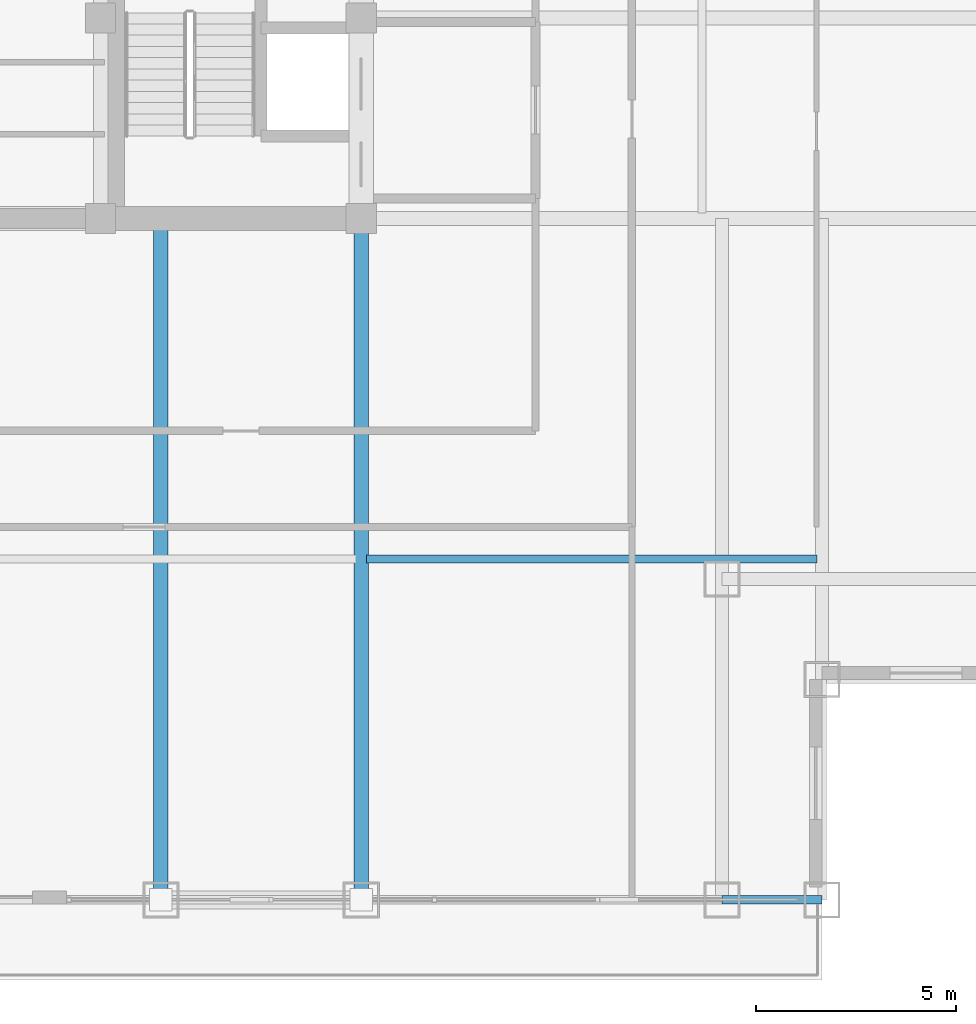
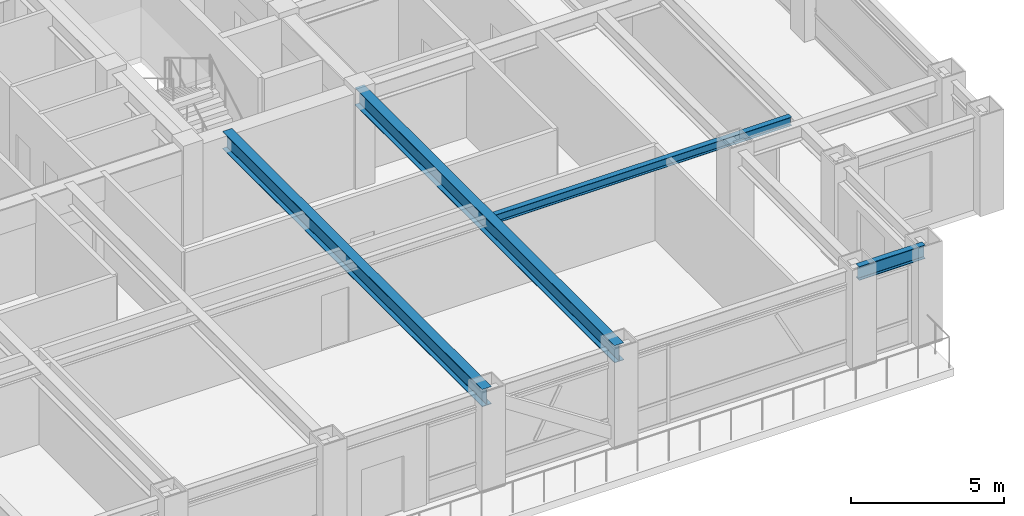
# One storey, part 10 of 32: 4 beams.
"""IFC4 building model written with IfcOpenShell, lengths in metres."""

from ifc_helpers import new_model, si_unit, direction, frame, origin, origin_2d, place, context, subcontext, project, spatial, i_section, extrude, source, transform, mapped, material, material_profile, profile_set, type_object, element, save


model = new_model("IFC4")

# Units and contexts
model_context = context("Model", 3, precision=1e-05, world=origin(), true_north=direction((0.0, 1.0)))
body_context = subcontext(model_context, "Body", "Model", "MODEL_VIEW")
ifc_project = project(units=[si_unit("LENGTHUNIT", "METRE"), si_unit("AREAUNIT", "SQUARE_METRE"), si_unit("VOLUMEUNIT", "CUBIC_METRE"), si_unit("PLANEANGLEUNIT", "RADIAN"), si_unit("MASSUNIT", "GRAM", prefix="KILO")], contexts=[model_context])

# Site, building, storey
site_placement = place(None, origin())
site = spatial("IfcSite", under=ifc_project, at=site_placement, CompositionType="ELEMENT")
building_placement = place(site_placement, origin())
building = spatial("IfcBuilding", under=site, at=building_placement, Name="Khorayat Bourse Tower", CompositionType="ELEMENT")
storey_placement = place(building_placement, frame((0.0, 0.0, 273.5)))
storey = spatial("IfcBuildingStorey", under=building, at=storey_placement, Name="L64", CompositionType="ELEMENT", Elevation=273.5)

# Beams
ifc_material = material(Name="Steel ASTM A992 Grade 50", Category="steel")
ifc_material_profile_1 = material_profile(ifc_material, i_section(OverallWidth=0.35498046875, OverallDepth=0.695068359375, WebThickness=0.015380859375, FlangeThickness=0.02490234375, FilletRadius=0.01806640625, at=origin_2d()), Name="W690X217")
ifc_profile_set_1 = profile_set([ifc_material_profile_1], Name="Steel ASTM A992 Grade 50")
beam_type_1 = type_object("IfcBeamType", Name="BM-GIRD-690", PredefinedType="BEAM", material=ifc_profile_set_1)
shared_shape_1 = source(origin(), body_context, "Body", "SweptSolid", [
    extrude(i_section(OverallWidth=0.35498046875, OverallDepth=0.695068359375, WebThickness=0.015380859375, FlangeThickness=0.02490234375, FilletRadius=0.01806640625, at=origin_2d()), origin(), (0.0, 0.0, 1.0), 17.0),
])
for number, where, z_axis, x_axis, name in (
    (1, (6.0, -28.0, 3.4326171875), (0.0, 1.0, 0.0), (-1.0, 0.0, 0.0), "L64 BM-GIRD-690 BM-L64-RADY-071"),
    (2, (11.0, -28.0, 3.4326171875), (0.0, 1.0, 0.0), (-1.0, 0.0, 0.0), "L64 BM-GIRD-690 BM-L64-RADY-073"),
):
    element("IfcBeam", number, at=place(storey_placement, frame(where, z_axis=z_axis, x_axis=x_axis)), inside=storey, type_object=beam_type_1, Name=name, PredefinedType="BEAM", context=body_context, shape_type="MappedRepresentation", body=[
        mapped(shared_shape_1, transform((0.0, 0.0, 0.0), scale=1.0)),
    ])
ifc_material_profile_2 = material_profile(ifc_material, i_section(OverallWidth=0.202880859375, OverallDepth=0.346923828125, WebThickness=0.0078125, FlangeThickness=0.013427734375, FilletRadius=0.010009765625, at=origin_2d()), Name="W360X64")
ifc_profile_set_2 = profile_set([ifc_material_profile_2], Name="Steel ASTM A992 Grade 50")
beam_type_2 = type_object("IfcBeamType", Name="BM-JOIST-360", PredefinedType="JOIST", material=ifc_profile_set_2)
shared_shape_2 = source(origin(), body_context, "Body", "SweptSolid", [
    extrude(i_section(OverallWidth=0.202880859375, OverallDepth=0.346923828125, WebThickness=0.0078125, FlangeThickness=0.013427734375, FilletRadius=0.010009765625, at=origin_2d()), origin(), (0.0, 0.0, 1.0), 11.240234375),
])
beam_1_placement = place(storey_placement, frame((11.1298828125, -19.5, 3.6064453125), z_axis=(1.0, 0.0, 0.0), x_axis=(0.0, 1.0, 0.0)))
element("IfcBeam", 3, at=beam_1_placement, inside=storey, type_object=beam_type_2, Name="L64 BM-JOIST-360 BM-L64-JSTX-098", PredefinedType="JOIST", context=body_context, shape_type="MappedRepresentation", body=[
    mapped(shared_shape_2, transform((0.0, 0.0, 0.0), scale=1.0)),
])
ifc_material_profile_3 = material_profile(ifc_material, i_section(OverallWidth=0.214111328125, OverallDepth=0.549072265625, WebThickness=0.0146484375, FlangeThickness=0.023681640625, FilletRadius=0.013916015625, at=origin_2d()), Name="W530X138")
ifc_profile_set_3 = profile_set([ifc_material_profile_3], Name="Steel ASTM A992 Grade 50")
beam_type_3 = type_object("IfcBeamType", Name="BM-SPAN-530", PredefinedType="SPANDREL", material=ifc_profile_set_3)
shared_shape_3 = source(origin(), body_context, "Body", "SweptSolid", [
    extrude(i_section(OverallWidth=0.214111328125, OverallDepth=0.549072265625, WebThickness=0.0146484375, FlangeThickness=0.023681640625, FilletRadius=0.013916015625, at=origin_2d()), origin(), (0.0, 0.0, 1.0), 2.5),
])
beam_2_placement = place(storey_placement, frame((20.0, -28.0, 3.505615234375), z_axis=(1.0, 0.0, 0.0), x_axis=(0.0, 1.0, 0.0)))
element("IfcBeam", 4, at=beam_2_placement, inside=storey, type_object=beam_type_3, Name="L64 BM-SPAN-530 BM-L64-SPN-031", PredefinedType="SPANDREL", context=body_context, shape_type="MappedRepresentation", body=[
    mapped(shared_shape_3, transform((0.0, 0.0, 0.0), scale=1.0)),
])

save(model, "model.ifc")
